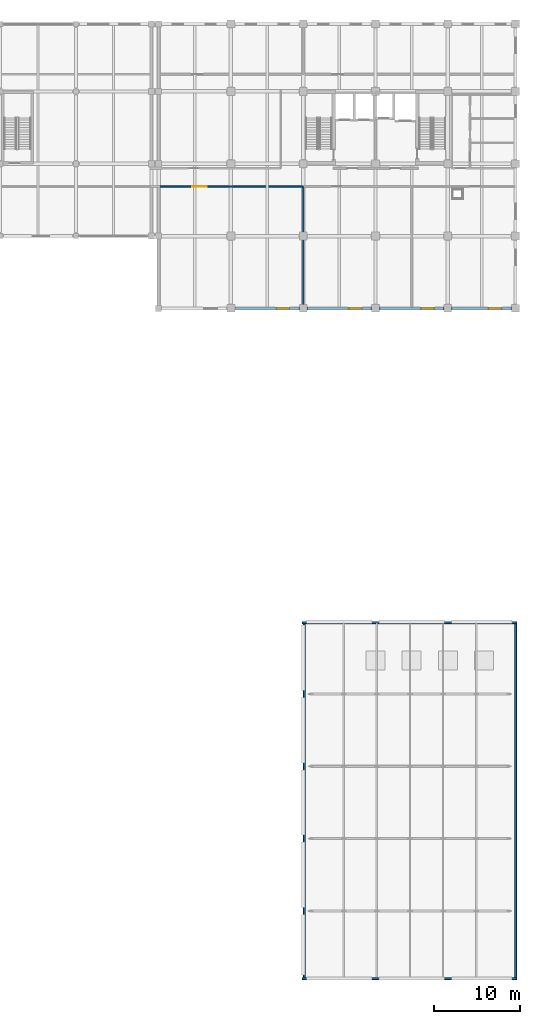
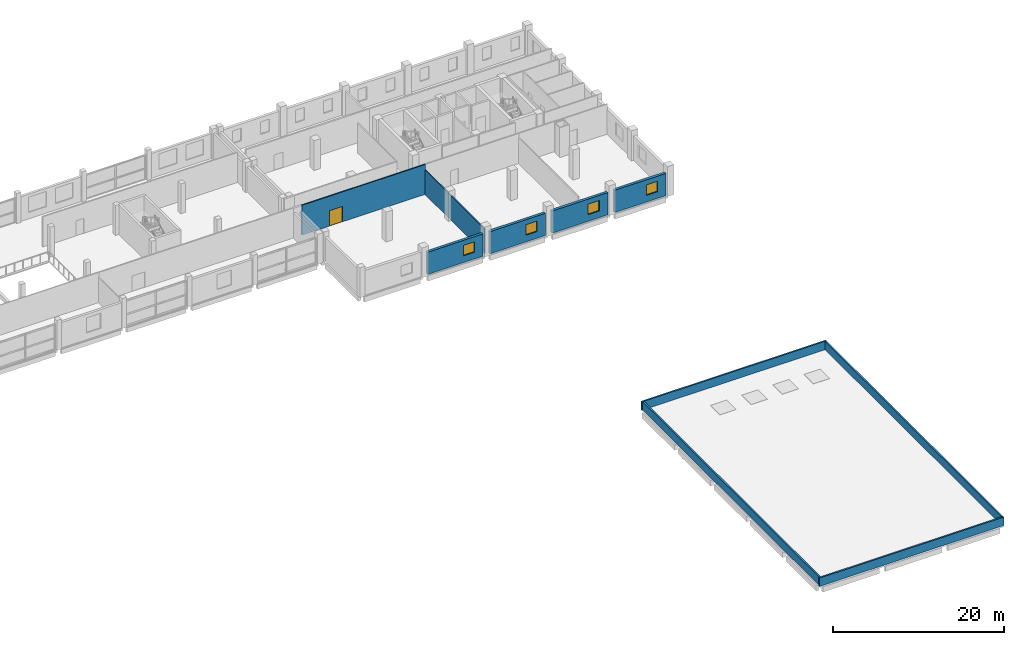
# One storey, part 31 of 38: 10 walls, 4 windows, 1 door, 5 openings.
"""IFC4 building model written with IfcOpenShell, lengths in metres."""

import ifcopenshell
import ifcopenshell.guid

model = None  # the IFC model being written
_history = None  # IfcOwnerHistory: only IFC2X3 demands one
_inside = {}  # id of a spatial element -> (the spatial element, [elements in it])
_under = {}  # id of a project, library or spatial element -> (it, [spatial elements below it])
_declared = {}  # id of a project -> (the project, [libraries it declares])
_typed = {}  # id of a type object -> (the type object, [elements of that type])
_made_of = {}  # id of a material, layer set ... -> (it, [elements and type objects made of it])


def new_model(schema):
    """Start an empty IFC model of exactly this schema.

    Asked for "IFC4X3", IfcOpenShell would pick the latest addendum, in which some entities
    have other attributes; the version numbers below select the first issue.
    IFC2X3 requires an IfcOwnerHistory on every rooted entity: one is made here for all.
    """
    global model, _history
    if schema == "IFC4X3":
        model = ifcopenshell.file(schema_version=(4, 3, 0, 0))
    else:
        model = ifcopenshell.file(schema=schema)
    _inside.clear()
    _under.clear()
    _declared.clear()
    _typed.clear()
    _made_of.clear()
    _history = None
    if model.schema == "IFC2X3":
        org = make("IfcOrganization", Name="unknown")
        user = make(
            "IfcPersonAndOrganization",
            ThePerson=make("IfcPerson", FamilyName="unknown"),
            TheOrganization=org,
        )
        app = make(
            "IfcApplication",
            ApplicationDeveloper=org,
            Version="unknown",
            ApplicationFullName="unknown",
            ApplicationIdentifier="unknown",
        )
        _history = make(
            "IfcOwnerHistory",
            OwningUser=user,
            OwningApplication=app,
            ChangeAction="ADDED",
            CreationDate=0,
        )
    return model


def make(cls, **values):
    """One entity of the class cls with the attributes given. An attribute that is None is left unset."""
    return model.create_entity(
        cls, **{name: value for name, value in values.items() if value is not None}
    )


def rooted(cls, **values):
    """An entity with a GlobalId (a new one), such as an element, a storey or a relation."""
    return make(cls, GlobalId=ifcopenshell.guid.new(), OwnerHistory=_history, **values)


def si_unit(unit_type, name, prefix=None):
    """IfcSIUnit, for example si_unit("LENGTHUNIT", "METRE", prefix="MILLI")."""
    return make("IfcSIUnit", UnitType=unit_type, Prefix=prefix, Name=name)


def assignment(units):
    """IfcUnitAssignment: the units of a project."""
    return None if units is None else make("IfcUnitAssignment", Units=units)


def point(xyz):
    """IfcCartesianPoint."""
    return None if xyz is None else make("IfcCartesianPoint", Coordinates=xyz)


def direction(xyz):
    """IfcDirection."""
    return None if xyz is None else make("IfcDirection", DirectionRatios=xyz)


def frame(location, z_axis=None, x_axis=None):
    """IfcAxis2Placement3D, a coordinate frame: its origin and axes. An axis left out is left unset."""
    return make(
        "IfcAxis2Placement3D",
        Location=point(location),
        Axis=direction(z_axis),
        RefDirection=direction(x_axis),
    )


def frame_2d(location, x_axis=None):
    """IfcAxis2Placement2D, a coordinate frame in the plane: its origin and x axis."""
    return make(
        "IfcAxis2Placement2D", Location=point(location), RefDirection=direction(x_axis)
    )


def origin():
    """The frame at (0, 0, 0) with its axes left unset."""
    return frame((0.0, 0.0, 0.0))


def place(relative_to, where):
    """IfcLocalPlacement: puts the frame where relative to a parent placement (None: the world)."""
    return make(
        "IfcLocalPlacement", PlacementRelTo=relative_to, RelativePlacement=where
    )


def context(
    kind, dimensions, precision=None, world=None, true_north=None, identifier=None
):
    """IfcGeometricRepresentationContext, for example the 3D "Model" context."""
    return make(
        "IfcGeometricRepresentationContext",
        ContextIdentifier=identifier,
        ContextType=kind,
        CoordinateSpaceDimension=dimensions,
        Precision=precision,
        WorldCoordinateSystem=world,
        TrueNorth=true_north,
    )


def subcontext(parent, identifier, kind, view, scale=None):
    """IfcGeometricRepresentationSubContext, for example "Body" below "Model"."""
    return make(
        "IfcGeometricRepresentationSubContext",
        ContextIdentifier=identifier,
        ContextType=kind,
        ParentContext=parent,
        TargetScale=scale,
        TargetView=view,
    )


def project(units=None, contexts=None):
    """IfcProject with its units and contexts."""
    return rooted(
        "IfcProject",
        Name="project",
        RepresentationContexts=contexts,
        UnitsInContext=assignment(units),
    )


def spatial(cls, under=None, at=None, **own):
    """A site, building, storey or space (cls), placed at a placement, below another one or the project."""
    s = rooted(cls, ObjectPlacement=at, **own)
    if under is not None:
        _under.setdefault(under.id(), (under, []))[1].append(s)
    return s


def profile(cls, at=None, kind="AREA", **sizes):
    """A parametric profile (cls). Its sizes go by their IFC names, for example OverallWidth=200.0."""
    return make(cls, ProfileType=kind, Position=at, **sizes)


def rectangle(**sizes):
    """IfcRectangleProfileDef."""
    return profile("IfcRectangleProfileDef", **sizes)


def extrude(swept, where, along, depth):
    """IfcExtrudedAreaSolid: the profile swept, set in the frame where, extruded along a direction by depth."""
    return make(
        "IfcExtrudedAreaSolid",
        SweptArea=swept,
        Position=where,
        ExtrudedDirection=direction(along),
        Depth=depth,
    )


def shape(context_of_items, identifier, shape_type, items):
    """IfcShapeRepresentation: the items that make up one representation, for example the "Body"."""
    return make(
        "IfcShapeRepresentation",
        ContextOfItems=context_of_items,
        RepresentationIdentifier=identifier,
        RepresentationType=shape_type,
        Items=items,
    )


def material(Name=None, Category=None):
    """IfcMaterial."""
    return make("IfcMaterial", Name=Name, Category=Category)


def layer(
    of_material, thickness, ventilated=None, Name=None, Category=None, Priority=None
):
    """IfcMaterialLayer: one layer of a wall or slab, of a material (None: an air gap)."""
    return make(
        "IfcMaterialLayer",
        Material=of_material,
        LayerThickness=thickness,
        IsVentilated=ventilated,
        Name=Name,
        Category=Category,
        Priority=Priority,
    )


def layer_set(layers, Name=None):
    """IfcMaterialLayerSet."""
    return make("IfcMaterialLayerSet", MaterialLayers=layers, LayerSetName=Name)


def made_of(thing, what):
    """Note that an element or type object is made of a material, layer set ...; save() writes the relation."""
    if what is not None:
        _made_of.setdefault(what.id(), (what, []))[1].append(thing)
    return thing


def type_object(cls, material=None, **own):
    """A type object (cls), such as IfcWallType, which elements share."""
    return made_of(rooted(cls, **own), material)


def element(
    cls,
    number,
    at=None,
    inside=None,
    cuts=None,
    type_object=None,
    material=None,
    context=None,
    identifier="Body",
    shape_type=None,
    held_by="IfcProductDefinitionShape",
    body=None,
    shapes=None,
    **own,
):
    """One element of the class cls, such as IfcWall. Its Tag is "e" and its number.

    at: its placement. inside: the storey or other place that contains it. cuts: it is an
    opening in that element (IfcRelVoidsElement). A single representation is given by context,
    identifier, shape_type and body (its items); several are given by shapes. held_by: the class
    of the entity that holds the representations. save() writes the other relations.
    """
    e = rooted(cls, Tag="e%d" % number, ObjectPlacement=at, **own)
    if body is not None:
        shapes = [shape(context, identifier, shape_type, body)]
    if shapes is not None:
        e.Representation = make(held_by, Representations=shapes)
    if inside is not None:
        _inside.setdefault(inside.id(), (inside, []))[1].append(e)
    if cuts is not None:
        rooted(
            "IfcRelVoidsElement", RelatingBuildingElement=cuts, RelatedOpeningElement=e
        )
    if type_object is not None:
        _typed.setdefault(type_object.id(), (type_object, []))[1].append(e)
    return made_of(e, material)


def fill(opening, filler):
    """IfcRelFillsElement: the door or window that sits in an opening."""
    return rooted(
        "IfcRelFillsElement",
        RelatingOpeningElement=opening,
        RelatedBuildingElement=filler,
    )


def aggregate(whole, parts):
    """IfcRelAggregates: a whole, such as a stair, and the parts it consists of."""
    return rooted("IfcRelAggregates", RelatingObject=whole, RelatedObjects=parts)


def save(model, path):
    """Write the relations noted so far, then the file.

    IfcRelAggregates (storeys below a building ...), IfcRelContainedInSpatialStructure (elements
    in a storey), IfcRelDefinesByType, IfcRelAssociatesMaterial and IfcRelDeclares: one each for
    every whole, place, type object, material and project.
    """
    for whole, parts in _under.values():
        aggregate(whole, parts)
    for where, things in _inside.values():
        rooted(
            "IfcRelContainedInSpatialStructure",
            RelatedElements=things,
            RelatingStructure=where,
        )
    for kind, things in _typed.values():
        rooted("IfcRelDefinesByType", RelatedObjects=things, RelatingType=kind)
    for what, things in _made_of.values():
        rooted("IfcRelAssociatesMaterial", RelatedObjects=things, RelatingMaterial=what)
    for by, libraries in _declared.values():
        rooted("IfcRelDeclares", RelatingContext=by, RelatedDefinitions=libraries)
    model.write(path)


model = new_model("IFC4")

# Units and contexts
model_context = context("Model", 3, precision=1e-05, world=origin(), true_north=direction((0.0, 1.0)))
body_context = subcontext(model_context, "Body", "Model", "MODEL_VIEW")
ifc_project = project(units=[si_unit("LENGTHUNIT", "METRE"), si_unit("AREAUNIT", "SQUARE_METRE"), si_unit("VOLUMEUNIT", "CUBIC_METRE"), si_unit("PLANEANGLEUNIT", "RADIAN"), si_unit("MASSUNIT", "GRAM", prefix="KILO")], contexts=[model_context])

# Site, building, storey
site_placement = place(None, origin())
site = spatial("IfcSite", under=ifc_project, at=site_placement, CompositionType="ELEMENT")
building_placement = place(site_placement, origin())
building = spatial("IfcBuilding", under=site, at=building_placement, Name="Brinegate Botanical Conservatory", CompositionType="ELEMENT")
storey_placement = place(building_placement, frame((0.0, 0.0, 10.199951171875)))
storey = spatial("IfcBuildingStorey", under=building, at=storey_placement, Name="L03", CompositionType="ELEMENT", Elevation=10.199951171875)

# Wall, opening, window
ifc_material_1 = material(Name="Insulated Minnan red clay brick masonry", Category="masonry")
ifc_layer_1 = layer(ifc_material_1, 0.360107421875, Name="Insulated Minnan red clay brick masonry", Category="masonry")
ifc_layer_set_1 = layer_set([ifc_layer_1], Name="Insulated Minnan red clay brick masonry")
wall_type_1 = type_object("IfcWallType", Name="Wall_EW-360B", PredefinedType="STANDARD", material=ifc_layer_set_1)
wall_1_placement = place(storey_placement, frame((138.35009765625, 78.39990234375, 0.0), z_axis=(0.0, 0.0, 1.0), x_axis=(-1.0, 0.0, 0.0)))
wall_1 = element("IfcWall", 1, at=wall_1_placement, inside=storey, type_object=wall_type_1, Name="Tower south facade wall L03.2", PredefinedType="STANDARD", context=body_context, shape_type="SweptSolid", body=[
    extrude(rectangle(XDim=7.5, YDim=0.360107421875, at=frame_2d((3.75, 0.0))), origin(), (0.0, 0.0, 1.0), 3.16015625),
])
opening_1_placement = place(wall_1_placement, frame((1.14990234375, 0.0, 0.949951171875)))
opening_1 = element("IfcOpeningElement", 2, at=opening_1_placement, cuts=wall_1, Name="Opening WN-08", PredefinedType="OPENING", context=body_context, shape_type="SweptSolid", body=[
    extrude(rectangle(XDim=1.5, YDim=1.5, at=frame_2d((0.75, 0.75))), frame((0.0, 0.18994140625, 0.0), z_axis=(0.0, -1.0, 0.0), x_axis=(1.0, 0.0, 0.0)), (0.0, 0.0, 1.0), 0.380126953125),
])
ifc_material_2 = material(Name="Thermally broken aluminium-framed Low-E glass", Category="aluminium")
window_type = type_object("IfcWindowType", Name="Win_WN-08", PartitioningType="DOUBLE_PANEL_VERTICAL", PredefinedType="WINDOW", material=ifc_material_2)
window_1_placement = place(opening_1_placement, origin())
window_1 = element("IfcWindow", 3, at=window_1_placement, inside=storey, type_object=window_type, Name="Tower south window L03.2", OverallHeight=1.5, OverallWidth=1.5, PartitioningType="DOUBLE_PANEL_VERTICAL", PredefinedType="WINDOW", context=body_context, shape_type="SweptSolid", body=[
    extrude(rectangle(XDim=1.5, YDim=1.5, at=frame_2d((0.75, 0.75))), frame((0.0, 0.030029296875, 0.0), z_axis=(0.0, -1.0, 0.0), x_axis=(1.0, 0.0, 0.0)), (0.0, 0.0, 1.0), 0.06005859375),
])
fill(opening_1, window_1)

wall_2_placement = place(storey_placement, frame((146.75, 78.39990234375, 0.0), z_axis=(0.0, 0.0, 1.0), x_axis=(-1.0, 0.0, 0.0)))
wall_2 = element("IfcWall", 4, at=wall_2_placement, inside=storey, type_object=wall_type_1, Name="Tower south facade wall L03.3", PredefinedType="STANDARD", context=body_context, shape_type="SweptSolid", body=[
    extrude(rectangle(XDim=7.5, YDim=0.360107421875, at=frame_2d((3.75, 0.0))), origin(), (0.0, 0.0, 1.0), 3.16015625),
])
opening_2_placement = place(wall_2_placement, frame((1.14990234375, 0.0, 0.949951171875)))
opening_2 = element("IfcOpeningElement", 5, at=opening_2_placement, cuts=wall_2, Name="Opening WN-08", PredefinedType="OPENING", context=body_context, shape_type="SweptSolid", body=[
    extrude(rectangle(XDim=1.5, YDim=1.5, at=frame_2d((0.75, 0.75))), frame((0.0, 0.18994140625, 0.0), z_axis=(0.0, -1.0, 0.0), x_axis=(1.0, 0.0, 0.0)), (0.0, 0.0, 1.0), 0.380126953125),
])
window_2_placement = place(opening_2_placement, origin())
window_2 = element("IfcWindow", 6, at=window_2_placement, inside=storey, type_object=window_type, Name="Tower south window L03.3", OverallHeight=1.5, OverallWidth=1.5, PartitioningType="DOUBLE_PANEL_VERTICAL", PredefinedType="WINDOW", context=body_context, shape_type="SweptSolid", body=[
    extrude(rectangle(XDim=1.5, YDim=1.5, at=frame_2d((0.75, 0.75))), frame((0.0, 0.030029296875, 0.0), z_axis=(0.0, -1.0, 0.0), x_axis=(1.0, 0.0, 0.0)), (0.0, 0.0, 1.0), 0.06005859375),
])
fill(opening_2, window_2)

wall_3_placement = place(storey_placement, frame((155.14990234375, 78.39990234375, 0.0), z_axis=(0.0, 0.0, 1.0), x_axis=(-1.0, 0.0, 0.0)))
wall_3 = element("IfcWall", 7, at=wall_3_placement, inside=storey, type_object=wall_type_1, Name="Tower south facade wall L03.4", PredefinedType="STANDARD", context=body_context, shape_type="SweptSolid", body=[
    extrude(rectangle(XDim=7.5, YDim=0.360107421875, at=frame_2d((3.75, 0.0))), origin(), (0.0, 0.0, 1.0), 3.16015625),
])
opening_3_placement = place(wall_3_placement, frame((1.14990234375, 0.0, 0.949951171875)))
opening_3 = element("IfcOpeningElement", 8, at=opening_3_placement, cuts=wall_3, Name="Opening WN-08", PredefinedType="OPENING", context=body_context, shape_type="SweptSolid", body=[
    extrude(rectangle(XDim=1.5, YDim=1.5, at=frame_2d((0.75, 0.75))), frame((0.0, 0.18994140625, 0.0), z_axis=(0.0, -1.0, 0.0), x_axis=(1.0, 0.0, 0.0)), (0.0, 0.0, 1.0), 0.380126953125),
])
window_3_placement = place(opening_3_placement, origin())
window_3 = element("IfcWindow", 9, at=window_3_placement, inside=storey, type_object=window_type, Name="Tower south window L03.4", OverallHeight=1.5, OverallWidth=1.5, PartitioningType="DOUBLE_PANEL_VERTICAL", PredefinedType="WINDOW", context=body_context, shape_type="SweptSolid", body=[
    extrude(rectangle(XDim=1.5, YDim=1.5, at=frame_2d((0.75, 0.75))), frame((0.0, 0.030029296875, 0.0), z_axis=(0.0, -1.0, 0.0), x_axis=(1.0, 0.0, 0.0)), (0.0, 0.0, 1.0), 0.06005859375),
])
fill(opening_3, window_3)

wall_4_placement = place(storey_placement, frame((163.0, 78.39990234375, 0.0), z_axis=(0.0, 0.0, 1.0), x_axis=(-1.0, 0.0, 0.0)))
wall_4 = element("IfcWall", 10, at=wall_4_placement, inside=storey, type_object=wall_type_1, Name="Tower south facade wall L03.5", PredefinedType="STANDARD", context=body_context, shape_type="SweptSolid", body=[
    extrude(rectangle(XDim=6.949951171875, YDim=0.360107421875, at=frame_2d((3.47509765625, 0.0))), origin(), (0.0, 0.0, 1.0), 3.16015625),
])
opening_4_placement = place(wall_4_placement, frame((1.14990234375, 0.0, 0.949951171875)))
opening_4 = element("IfcOpeningElement", 11, at=opening_4_placement, cuts=wall_4, Name="Opening WN-08", PredefinedType="OPENING", context=body_context, shape_type="SweptSolid", body=[
    extrude(rectangle(XDim=1.5, YDim=1.5, at=frame_2d((0.75, 0.75))), frame((0.0, 0.18994140625, 0.0), z_axis=(0.0, -1.0, 0.0), x_axis=(1.0, 0.0, 0.0)), (0.0, 0.0, 1.0), 0.380126953125),
])
window_4_placement = place(opening_4_placement, origin())
window_4 = element("IfcWindow", 12, at=window_4_placement, inside=storey, type_object=window_type, Name="Tower south window L03.5", OverallHeight=1.5, OverallWidth=1.5, PartitioningType="DOUBLE_PANEL_VERTICAL", PredefinedType="WINDOW", context=body_context, shape_type="SweptSolid", body=[
    extrude(rectangle(XDim=1.5, YDim=1.5, at=frame_2d((0.75, 0.75))), frame((0.0, 0.030029296875, 0.0), z_axis=(0.0, -1.0, 0.0), x_axis=(1.0, 0.0, 0.0)), (0.0, 0.0, 1.0), 0.06005859375),
])
fill(opening_4, window_4)

# Walls
ifc_material_3 = material(Name="Precast concrete C40/50 coping & red-brick parapet", Category="masonry")
ifc_layer_2 = layer(ifc_material_3, 0.2099609375, Name="Precast concrete C40/50 coping & red-brick parapet", Category="masonry")
ifc_layer_set_2 = layer_set([ifc_layer_2], Name="Precast concrete C40/50 coping & red-brick parapet")
wall_type_2 = type_object("IfcWallType", Name="Wall_PR-210", PredefinedType="PARAPET", material=ifc_layer_set_2)
wall_5_placement = place(storey_placement, frame((138.695068359375, 0.5048828125, 0.0), z_axis=(0.0, 0.0, 1.0), x_axis=(1.0, 0.0, 0.0)))
element("IfcWall", 13, at=wall_5_placement, inside=storey, type_object=wall_type_2, Name="Auditorium roof parapet 1", PredefinedType="PARAPET", context=body_context, shape_type="SweptSolid", body=[
    extrude(rectangle(XDim=24.885009765625, YDim=0.2099609375, at=frame_2d((12.4423828125, 0.0))), origin(), (0.0, 0.0, 1.0), 1.199951171875),
])
wall_6_placement = place(storey_placement, frame((163.47509765625, 0.610107421875, 0.0), z_axis=(0.0, 0.0, 1.0), x_axis=(0.0, 1.0, 0.0)))
element("IfcWall", 14, at=wall_6_placement, inside=storey, type_object=wall_type_2, Name="Auditorium roof parapet 2", PredefinedType="PARAPET", context=body_context, shape_type="SweptSolid", body=[
    extrude(rectangle(XDim=41.179931640625, YDim=0.2099609375, at=frame_2d((20.58984375, 0.0))), origin(), (0.0, 0.0, 1.0), 1.199951171875),
])
wall_7_placement = place(storey_placement, frame((163.580078125, 41.89501953125, 0.0), z_axis=(0.0, 0.0, 1.0), x_axis=(-1.0, 0.0, 0.0)))
element("IfcWall", 15, at=wall_7_placement, inside=storey, type_object=wall_type_2, Name="Auditorium roof parapet 3", PredefinedType="PARAPET", context=body_context, shape_type="SweptSolid", body=[
    extrude(rectangle(XDim=24.885009765625, YDim=0.2099609375, at=frame_2d((12.4423828125, 0.0))), origin(), (0.0, 0.0, 1.0), 1.199951171875),
])
wall_8_placement = place(storey_placement, frame((138.905029296875, 41.7900390625, 0.0), z_axis=(0.0, 0.0, 1.0), x_axis=(0.0, -1.0, 0.0)))
element("IfcWall", 16, at=wall_8_placement, inside=storey, type_object=wall_type_2, Name="Auditorium roof parapet 4", PredefinedType="PARAPET", context=body_context, shape_type="SweptSolid", body=[
    extrude(rectangle(XDim=41.179931640625, YDim=0.2099609375, at=frame_2d((20.58984375, 0.0))), origin(), (0.0, 0.0, 1.0), 1.199951171875),
])
ifc_material_4 = material(Name="Gypsum-clad steel-stud partition", Category="steel")
ifc_layer_3 = layer(ifc_material_4, 0.135009765625, Name="Gypsum-clad steel-stud partition", Category="steel")
ifc_layer_set_3 = layer_set([ifc_layer_3], Name="Gypsum-clad steel-stud partition")
wall_type_3 = type_object("IfcWallType", Name="Wall_PW-135", PredefinedType="PARTITIONING", material=ifc_layer_set_3)
wall_9_placement = place(storey_placement, frame((138.800048828125, 78.550048828125, 0.0), z_axis=(0.0, 0.0, 1.0), x_axis=(0.0, 1.0, 0.0)))
element("IfcWall", 17, at=wall_9_placement, inside=storey, type_object=wall_type_3, Name="Interior partition P-L03-SDIV-S2", PredefinedType="PARTITIONING", context=body_context, shape_type="SweptSolid", body=[
    extrude(rectangle(XDim=14.0, YDim=0.135009765625, at=frame_2d((7.0, 0.0))), origin(), (0.0, 0.0, 1.0), 3.510009765625),
])

# Wall, opening, door
ifc_material_5 = material(Name="Gypsum-clad acoustic steel-stud partition", Category="steel")
ifc_layer_4 = layer(ifc_material_5, 0.1650390625, Name="Gypsum-clad acoustic steel-stud partition", Category="steel")
ifc_layer_set_4 = layer_set([ifc_layer_4], Name="Gypsum-clad acoustic steel-stud partition")
wall_type_4 = type_object("IfcWallType", Name="Wall_PW-165", PredefinedType="PARTITIONING", material=ifc_layer_set_4)
wall_10_placement = place(storey_placement, frame((122.14990234375, 92.550048828125, 0.0), z_axis=(0.0, 0.0, 1.0), x_axis=(1.0, 0.0, 0.0)))
wall_10 = element("IfcWall", 18, at=wall_10_placement, inside=storey, type_object=wall_type_4, Name="Interior partition P-L03-SB-S1", PredefinedType="PARTITIONING", context=body_context, shape_type="SweptSolid", body=[
    extrude(rectangle(XDim=16.650146484375, YDim=0.1650390625, at=frame_2d((8.3251953125, 0.0))), origin(), (0.0, 0.0, 1.0), 4.260009765625),
])
opening_5_placement = place(wall_10_placement, frame((3.75, 0.0, 0.0)))
opening_5 = element("IfcOpeningElement", 19, at=opening_5_placement, cuts=wall_10, Name="Opening DR-DBL2", PredefinedType="OPENING", context=body_context, shape_type="SweptSolid", body=[
    extrude(rectangle(XDim=1.699951171875, YDim=2.199951171875, at=frame_2d((0.85009765625, 1.10009765625))), frame((0.0, 0.092529296875, 0.0), z_axis=(0.0, -1.0, 0.0), x_axis=(1.0, 0.0, 0.0)), (0.0, 0.0, 1.0), 0.18505859375),
])
ifc_material_6 = material(Name="Powder-coated steel laboratory double door", Category="steel")
door_type = type_object("IfcDoorType", Name="Door_DR-DBL2", OperationType="NOTDEFINED", PredefinedType="DOOR", material=ifc_material_6)
door_placement = place(opening_5_placement, origin())
door = element("IfcDoor", 20, at=door_placement, inside=storey, type_object=door_type, Name="DR-P-L03-SB-S1-1", OperationType="SINGLE_SWING_RIGHT", OverallHeight=2.199951171875, OverallWidth=1.699951171875, PredefinedType="DOOR", context=body_context, shape_type="SweptSolid", body=[
    extrude(rectangle(XDim=1.699951171875, YDim=2.199951171875, at=frame_2d((0.85009765625, 1.10009765625))), frame((0.0, 0.02490234375, 0.0), z_axis=(0.0, -1.0, 0.0), x_axis=(1.0, 0.0, 0.0)), (0.0, 0.0, 1.0), 0.050048828125),
])
fill(opening_5, door)

save(model, "model.ifc")
